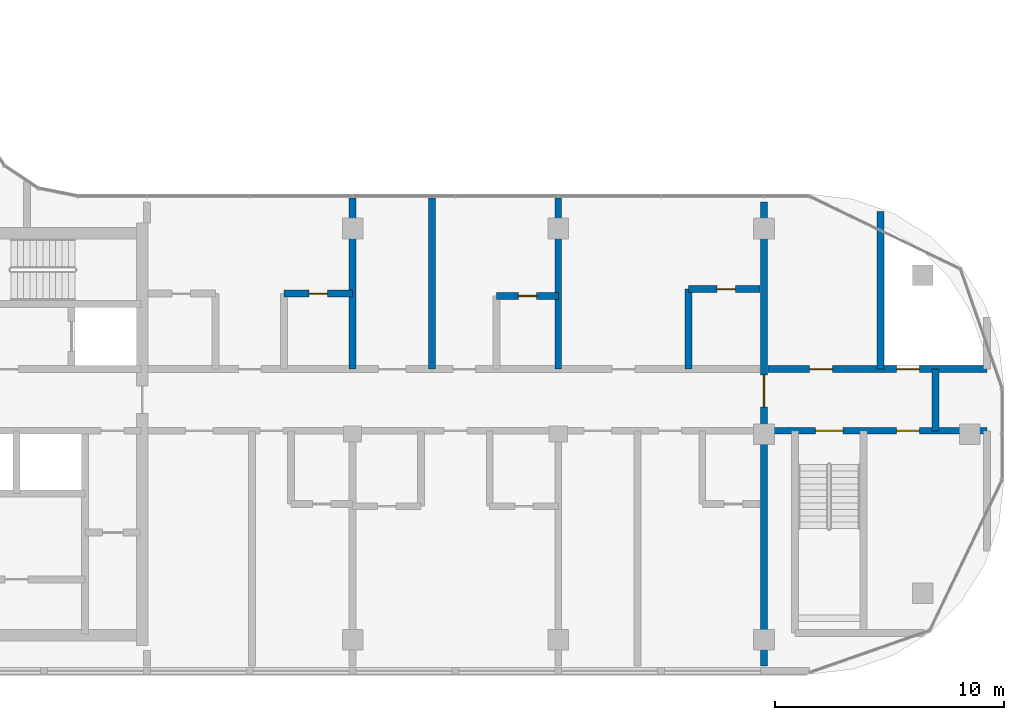
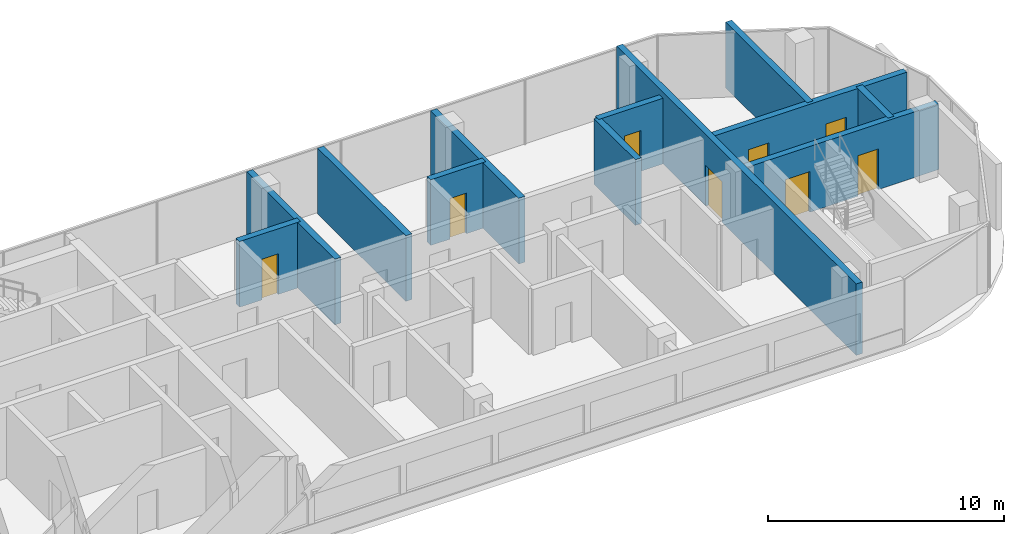
# One storey, part 12 of 19: 12 walls, 8 doors, 8 openings.
"""IFC4 building model written with IfcOpenShell, lengths in metres."""

from ifc_helpers import new_model, si_unit, direction, frame, frame_2d, origin, place, context, subcontext, project, spatial, rectangle, extrude, material, layer, layer_set, type_object, element, fill, save


model = new_model("IFC4")

# Units and contexts
model_context = context("Model", 3, precision=1e-05, world=origin(), true_north=direction((0.0, 1.0)))
body_context = subcontext(model_context, "Body", "Model", "MODEL_VIEW")
ifc_project = project(units=[si_unit("LENGTHUNIT", "METRE"), si_unit("AREAUNIT", "SQUARE_METRE"), si_unit("VOLUMEUNIT", "CUBIC_METRE"), si_unit("PLANEANGLEUNIT", "RADIAN"), si_unit("MASSUNIT", "GRAM", prefix="KILO")], contexts=[model_context])

# Site, building, storey
site_placement = place(None, origin())
site = spatial("IfcSite", under=ifc_project, at=site_placement, CompositionType="ELEMENT")
building_placement = place(site_placement, origin())
building = spatial("IfcBuilding", under=site, at=building_placement, Name="Ogive Portal Towers", CompositionType="ELEMENT")
storey_placement = place(building_placement, frame((0.0, 0.0, 229.10009765625)))
storey = spatial("IfcBuildingStorey", under=building, at=storey_placement, Name="L57", CompositionType="ELEMENT", Elevation=229.10009765625)

# Wall, opening, door
ifc_material_1 = material(Name="Concrete C60/75", Category="concrete")
ifc_layer_1 = layer(ifc_material_1, 0.300048828125)
ifc_layer_set_1 = layer_set([ifc_layer_1], Name="REVEAL WALL 300 C60")
wall_type_1 = type_object("IfcWallType", Name="REVEAL WALL 300 C60", PredefinedType="SHEAR", material=ifc_layer_set_1)
wall_1_placement = place(storey_placement, frame((85.5, 20.35009765625, 0.0), z_axis=(0.0, 0.0, 1.0), x_axis=(0.0, 1.0, 0.0)))
wall_1 = element("IfcWall", 1, at=wall_1_placement, inside=storey, type_object=wall_type_1, Name="Portal reveal wall L57", PredefinedType="SHEAR", context=body_context, shape_type="SweptSolid", body=[
    extrude(rectangle(XDim=20.2998046875, YDim=0.300048828125, at=frame_2d((10.14990234375, 0.0))), origin(), (0.0, 0.0, 1.0), 3.699951171875),
])
opening_1_placement = place(wall_1_placement, frame((11.35009765625, 0.0, 0.0)))
opening_1 = element("IfcOpeningElement", 2, at=opening_1_placement, cuts=wall_1, Name="Opening D25-059", PredefinedType="OPENING", context=body_context, shape_type="SweptSolid", body=[
    extrude(rectangle(XDim=1.39990234375, YDim=2.10009765625, at=frame_2d((0.699951171875, 1.050048828125))), frame((0.0, 0.16015625, 0.0), z_axis=(0.0, -1.0, 0.0), x_axis=(1.0, 0.0, 0.0)), (0.0, 0.0, 1.0), 0.320068359375),
])
ifc_material_2 = material(Name="Steel fire door", Category="steel")
door_type_1 = type_object("IfcDoorType", Name="DT-STAIR-1400x2100-FD90S", OperationType="SINGLE_SWING_LEFT", PredefinedType="DOOR", material=ifc_material_2)
door_1_placement = place(opening_1_placement, origin())
door_1 = element("IfcDoor", 3, at=door_1_placement, inside=storey, type_object=door_type_1, Name="Door D25-059", OperationType="SINGLE_SWING_RIGHT", OverallHeight=2.10009765625, OverallWidth=1.39990234375, PredefinedType="DOOR", context=body_context, shape_type="SweptSolid", body=[
    extrude(rectangle(XDim=1.39990234375, YDim=2.10009765625, at=frame_2d((0.699951171875, 1.050048828125))), frame((0.0, 0.02490234375, 0.0), z_axis=(0.0, -1.0, 0.0), x_axis=(1.0, 0.0, 0.0)), (0.0, 0.0, 1.0), 0.050048828125),
])
fill(opening_1, door_1)

# Wall, openings, doors
ifc_material_3 = material(Name="Concrete C50/60", Category="concrete")
ifc_layer_2 = layer(ifc_material_3, 0.300048828125)
ifc_layer_set_2 = layer_set([ifc_layer_2], Name="STAIR WALL 300 C50")
wall_type_2 = type_object("IfcWallType", Name="STAIR WALL 300 C50", PredefinedType="SHEAR", material=ifc_layer_set_2)
wall_2_placement = place(storey_placement, frame((85.669921875, 30.64990234375, 0.0), z_axis=(0.0, 0.0, 1.0), x_axis=(1.0, 0.0, 0.0)))
wall_2 = element("IfcWall", 4, at=wall_2_placement, inside=storey, type_object=wall_type_2, Name="Stair wall ST-A4 L57", PredefinedType="SHEAR", context=body_context, shape_type="SweptSolid", body=[
    extrude(rectangle(XDim=9.580078125, YDim=0.300048828125, at=frame_2d((4.7900390625, 0.0))), origin(), (0.0, 0.0, 1.0), 3.39990234375),
])
opening_2_placement = place(wall_2_placement, frame((2.080078125, 0.0, 0.0)))
opening_2 = element("IfcOpeningElement", 5, at=opening_2_placement, cuts=wall_2, Name="Opening D25-055", PredefinedType="OPENING", context=body_context, shape_type="SweptSolid", body=[
    extrude(rectangle(XDim=1.199951171875, YDim=2.10009765625, at=frame_2d((0.60009765625, 1.050048828125))), frame((0.0, 0.16015625, 0.0), z_axis=(0.0, -1.0, 0.0), x_axis=(1.0, 0.0, 0.0)), (0.0, 0.0, 1.0), 0.320068359375),
])
opening_3_placement = place(wall_2_placement, frame((5.6298828125, 0.0, 0.0)))
opening_3 = element("IfcOpeningElement", 6, at=opening_3_placement, cuts=wall_2, Name="Opening D25-058", PredefinedType="OPENING", context=body_context, shape_type="SweptSolid", body=[
    extrude(rectangle(XDim=1.0, YDim=2.10009765625, at=frame_2d((0.5, 1.050048828125))), frame((0.0, 0.16015625, 0.0), z_axis=(0.0, -1.0, 0.0), x_axis=(1.0, 0.0, 0.0)), (0.0, 0.0, 1.0), 0.320068359375),
])
door_type_2 = type_object("IfcDoorType", Name="DT-SERVICE-1000x2100-FD90S", OperationType="SINGLE_SWING_LEFT", PredefinedType="DOOR", material=ifc_material_2)
door_2_placement = place(opening_3_placement, origin())
door_2 = element("IfcDoor", 7, at=door_2_placement, inside=storey, type_object=door_type_2, Name="Door D25-058", OperationType="SINGLE_SWING_LEFT", OverallHeight=2.10009765625, OverallWidth=1.0, PredefinedType="DOOR", context=body_context, shape_type="SweptSolid", body=[
    extrude(rectangle(XDim=1.0, YDim=2.10009765625, at=frame_2d((0.5, 1.050048828125))), frame((0.0, 0.02490234375, 0.0), z_axis=(0.0, -1.0, 0.0), x_axis=(1.0, 0.0, 0.0)), (0.0, 0.0, 1.0), 0.050048828125),
])
fill(opening_3, door_2)
door_type_3 = type_object("IfcDoorType", Name="DT-STAIR-1200x2100-FD90S", OperationType="SINGLE_SWING_LEFT", PredefinedType="DOOR", material=ifc_material_2)
door_3_placement = place(opening_2_placement, origin())
door_3 = element("IfcDoor", 8, at=door_3_placement, inside=storey, type_object=door_type_3, Name="Door D25-055", OperationType="SINGLE_SWING_LEFT", OverallHeight=2.10009765625, OverallWidth=1.199951171875, PredefinedType="DOOR", context=body_context, shape_type="SweptSolid", body=[
    extrude(rectangle(XDim=1.199951171875, YDim=2.10009765625, at=frame_2d((0.60009765625, 1.050048828125))), frame((0.0, 0.02490234375, 0.0), z_axis=(0.0, -1.0, 0.0), x_axis=(1.0, 0.0, 0.0)), (0.0, 0.0, 1.0), 0.050048828125),
])
fill(opening_2, door_3)

ifc_material_4 = material(Name="Gypsum board partition on steel studs", Category="steel")
ifc_layer_3 = layer(ifc_material_4, 0.300048828125)
ifc_layer_set_3 = layer_set([ifc_layer_3], Name="WT-PART-300-EI 120")
wall_type_3 = type_object("IfcWallType", Name="WT-PART-300-EI 120", PredefinedType="PARTITIONING", material=ifc_layer_set_3)
wall_3_placement = place(storey_placement, frame((85.669921875, 33.35009765625, 0.0), z_axis=(0.0, 0.0, 1.0), x_axis=(1.0, 0.0, 0.0)))
wall_3 = element("IfcWall", 9, at=wall_3_placement, inside=storey, type_object=wall_type_3, Name="Wall L57:w009", PredefinedType="PARTITIONING", context=body_context, shape_type="SweptSolid", body=[
    extrude(rectangle(XDim=9.580078125, YDim=0.300048828125, at=frame_2d((4.7900390625, 0.0))), origin(), (0.0, 0.0, 1.0), 3.39990234375),
])
opening_4_placement = place(wall_3_placement, frame((1.830078125, 0.0, 0.0)))
opening_4 = element("IfcOpeningElement", 10, at=opening_4_placement, cuts=wall_3, Name="Opening D25-056", PredefinedType="OPENING", context=body_context, shape_type="SweptSolid", body=[
    extrude(rectangle(XDim=1.0, YDim=2.10009765625, at=frame_2d((0.5, 1.050048828125))), frame((0.0, 0.16015625, 0.0), z_axis=(0.0, -1.0, 0.0), x_axis=(1.0, 0.0, 0.0)), (0.0, 0.0, 1.0), 0.320068359375),
])
opening_5_placement = place(wall_3_placement, frame((5.6298828125, 0.0, 0.0)))
opening_5 = element("IfcOpeningElement", 11, at=opening_5_placement, cuts=wall_3, Name="Opening D25-057", PredefinedType="OPENING", context=body_context, shape_type="SweptSolid", body=[
    extrude(rectangle(XDim=1.0, YDim=2.10009765625, at=frame_2d((0.5, 1.050048828125))), frame((0.0, 0.16015625, 0.0), z_axis=(0.0, -1.0, 0.0), x_axis=(1.0, 0.0, 0.0)), (0.0, 0.0, 1.0), 0.320068359375),
])
door_4_placement = place(opening_4_placement, origin())
door_4 = element("IfcDoor", 12, at=door_4_placement, inside=storey, type_object=door_type_2, Name="Door D25-056", OperationType="SINGLE_SWING_LEFT", OverallHeight=2.10009765625, OverallWidth=1.0, PredefinedType="DOOR", context=body_context, shape_type="SweptSolid", body=[
    extrude(rectangle(XDim=1.0, YDim=2.10009765625, at=frame_2d((0.5, 1.050048828125))), frame((0.0, 0.02490234375, 0.0), z_axis=(0.0, -1.0, 0.0), x_axis=(1.0, 0.0, 0.0)), (0.0, 0.0, 1.0), 0.050048828125),
])
fill(opening_4, door_4)
door_5_placement = place(opening_5_placement, origin())
door_5 = element("IfcDoor", 13, at=door_5_placement, inside=storey, type_object=door_type_2, Name="Riser access door D25-057", OperationType="SINGLE_SWING_RIGHT", OverallHeight=2.10009765625, OverallWidth=1.0, PredefinedType="DOOR", context=body_context, shape_type="SweptSolid", body=[
    extrude(rectangle(XDim=1.0, YDim=2.10009765625, at=frame_2d((0.5, 1.050048828125))), frame((0.0, 0.02490234375, 0.0), z_axis=(0.0, -1.0, 0.0), x_axis=(1.0, 0.0, 0.0)), (0.0, 0.0, 1.0), 0.050048828125),
])
fill(opening_5, door_5)

# Wall
wall_4_placement = place(storey_placement, frame((93.0, 30.64990234375, 0.0), z_axis=(0.0, 0.0, 1.0), x_axis=(0.0, 1.0, 0.0)))
element("IfcWall", 14, at=wall_4_placement, inside=storey, type_object=wall_type_3, Name="Wall L57:w055", PredefinedType="PARTITIONING", context=body_context, shape_type="SweptSolid", body=[
    extrude(rectangle(XDim=2.7001953125, YDim=0.300048828125, at=frame_2d((1.35009765625, 0.0))), origin(), (0.0, 0.0, 1.0), 3.39990234375),
])

# Wall, opening, door
ifc_layer_4 = layer(ifc_material_4, 0.300048828125)
ifc_layer_set_4 = layer_set([ifc_layer_4], Name="WT-PART-300-EI 60")
wall_type_4 = type_object("IfcWallType", Name="WT-PART-300-EI 60", PredefinedType="PARTITIONING", material=ifc_layer_set_4)
wall_5_placement = place(storey_placement, frame((73.800048828125, 36.550048828125, 0.0), z_axis=(0.0, 0.0, 1.0), x_axis=(1.0, 0.0, 0.0)))
wall_5 = element("IfcWall", 15, at=wall_5_placement, inside=storey, type_object=wall_type_4, Name="Wall L57:w010", PredefinedType="PARTITIONING", context=body_context, shape_type="SweptSolid", body=[
    extrude(rectangle(XDim=2.699951171875, YDim=0.300048828125, at=frame_2d((1.35009765625, 0.0))), origin(), (0.0, 0.0, 1.0), 3.39990234375),
])
opening_6_placement = place(wall_5_placement, frame((0.949951171875, 0.0, 0.0)))
opening_6 = element("IfcOpeningElement", 16, at=opening_6_placement, cuts=wall_5, Name="Opening D25-033", PredefinedType="OPENING", context=body_context, shape_type="SweptSolid", body=[
    extrude(rectangle(XDim=0.800048828125, YDim=2.10009765625, at=frame_2d((0.39990234375, 1.050048828125))), frame((0.0, 0.16015625, 0.0), z_axis=(0.0, -1.0, 0.0), x_axis=(1.0, 0.0, 0.0)), (0.0, 0.0, 1.0), 0.320068359375),
])
door_type_4 = type_object("IfcDoorType", Name="DT-BATH-800x2100-FD60S", OperationType="SINGLE_SWING_LEFT", PredefinedType="DOOR", material=ifc_material_2)
door_6_placement = place(opening_6_placement, origin())
door_6 = element("IfcDoor", 17, at=door_6_placement, inside=storey, type_object=door_type_4, Name="Door D25-033", OperationType="SINGLE_SWING_RIGHT", OverallHeight=2.10009765625, OverallWidth=0.800048828125, PredefinedType="DOOR", context=body_context, shape_type="SweptSolid", body=[
    extrude(rectangle(XDim=0.800048828125, YDim=2.10009765625, at=frame_2d((0.39990234375, 1.050048828125))), frame((0.0, 0.02490234375, 0.0), z_axis=(0.0, -1.0, 0.0), x_axis=(1.0, 0.0, 0.0)), (0.0, 0.0, 1.0), 0.050048828125),
])
fill(opening_6, door_6)

wall_6_placement = place(storey_placement, frame((64.5, 36.64990234375, 0.0), z_axis=(0.0, 0.0, 1.0), x_axis=(1.0, 0.0, 0.0)))
wall_6 = element("IfcWall", 18, at=wall_6_placement, inside=storey, type_object=wall_type_4, Name="Wall L57:w012", PredefinedType="PARTITIONING", context=body_context, shape_type="SweptSolid", body=[
    extrude(rectangle(XDim=3.0, YDim=0.300048828125, at=frame_2d((1.5, 0.0))), origin(), (0.0, 0.0, 1.0), 3.39990234375),
])
opening_7_placement = place(wall_6_placement, frame((1.10009765625, 0.0, 0.0)))
opening_7 = element("IfcOpeningElement", 19, at=opening_7_placement, cuts=wall_6, Name="Opening D25-027", PredefinedType="OPENING", context=body_context, shape_type="SweptSolid", body=[
    extrude(rectangle(XDim=0.800048828125, YDim=2.10009765625, at=frame_2d((0.39990234375, 1.050048828125))), frame((0.0, 0.16015625, 0.0), z_axis=(0.0, -1.0, 0.0), x_axis=(1.0, 0.0, 0.0)), (0.0, 0.0, 1.0), 0.320068359375),
])
door_7_placement = place(opening_7_placement, origin())
door_7 = element("IfcDoor", 20, at=door_7_placement, inside=storey, type_object=door_type_4, Name="Door D25-027", OperationType="SINGLE_SWING_RIGHT", OverallHeight=2.10009765625, OverallWidth=0.800048828125, PredefinedType="DOOR", context=body_context, shape_type="SweptSolid", body=[
    extrude(rectangle(XDim=0.800048828125, YDim=2.10009765625, at=frame_2d((0.39990234375, 1.050048828125))), frame((0.0, 0.02490234375, 0.0), z_axis=(0.0, -1.0, 0.0), x_axis=(1.0, 0.0, 0.0)), (0.0, 0.0, 1.0), 0.050048828125),
])
fill(opening_7, door_7)

wall_7_placement = place(storey_placement, frame((82.199951171875, 36.85009765625, 0.0), z_axis=(0.0, 0.0, 1.0), x_axis=(1.0, 0.0, 0.0)))
wall_7 = element("IfcWall", 21, at=wall_7_placement, inside=storey, type_object=wall_type_4, Name="Wall L57:w013", PredefinedType="PARTITIONING", context=body_context, shape_type="SweptSolid", body=[
    extrude(rectangle(XDim=3.130126953125, YDim=0.300048828125, at=frame_2d((1.56494140625, 0.0))), origin(), (0.0, 0.0, 1.0), 3.39990234375),
])
opening_8_placement = place(wall_7_placement, frame((1.25, 0.0, 0.0)))
opening_8 = element("IfcOpeningElement", 22, at=opening_8_placement, cuts=wall_7, Name="Opening D25-038", PredefinedType="OPENING", context=body_context, shape_type="SweptSolid", body=[
    extrude(rectangle(XDim=0.800048828125, YDim=2.10009765625, at=frame_2d((0.39990234375, 1.050048828125))), frame((0.0, 0.16015625, 0.0), z_axis=(0.0, -1.0, 0.0), x_axis=(1.0, 0.0, 0.0)), (0.0, 0.0, 1.0), 0.320068359375),
])
door_8_placement = place(opening_8_placement, origin())
door_8 = element("IfcDoor", 23, at=door_8_placement, inside=storey, type_object=door_type_4, Name="Door D25-038", OperationType="SINGLE_SWING_LEFT", OverallHeight=2.10009765625, OverallWidth=0.800048828125, PredefinedType="DOOR", context=body_context, shape_type="SweptSolid", body=[
    extrude(rectangle(XDim=0.800048828125, YDim=2.10009765625, at=frame_2d((0.39990234375, 1.050048828125))), frame((0.0, 0.02490234375, 0.0), z_axis=(0.0, -1.0, 0.0), x_axis=(1.0, 0.0, 0.0)), (0.0, 0.0, 1.0), 0.050048828125),
])
fill(opening_8, door_8)

# Walls
for number, where, z_axis, x_axis, name in (
    (24, (67.5, 33.35009765625, 0.0), (0.0, 0.0, 1.0), (0.0, 1.0, 0.0), "Wall L57:w042"),
    (25, (70.969970703125, 33.35009765625, 0.0), (0.0, 0.0, 1.0), (0.0, 1.0, 0.0), "Wall L57:w044"),
    (26, (76.5, 33.35009765625, 0.0), (0.0, 0.0, 1.0), (0.0, 1.0, 0.0), "Wall L57:w048"),
):
    element("IfcWall", number, at=place(storey_placement, frame(where, z_axis=z_axis, x_axis=x_axis)), inside=storey, type_object=wall_type_4, Name=name, PredefinedType="PARTITIONING", context=body_context, shape_type="SweptSolid", body=[
        extrude(rectangle(XDim=7.47998046875, YDim=0.300048828125, at=frame_2d((3.739990234375, 0.0))), origin(), (0.0, 0.0, 1.0), 3.39990234375),
    ])
wall_8_placement = place(storey_placement, frame((82.199951171875, 33.35009765625, 0.0), z_axis=(0.0, 0.0, 1.0), x_axis=(0.0, 1.0, 0.0)))
element("IfcWall", 27, at=wall_8_placement, inside=storey, type_object=wall_type_4, Name="Wall L57:w050", PredefinedType="PARTITIONING", context=body_context, shape_type="SweptSolid", body=[
    extrude(rectangle(XDim=3.5, YDim=0.300048828125, at=frame_2d((1.75, 0.0))), origin(), (0.0, 0.0, 1.0), 3.39990234375),
])
wall_9_placement = place(storey_placement, frame((90.60009765625, 33.35009765625, 0.0), z_axis=(0.0, 0.0, 1.0), x_axis=(0.0, 1.0, 0.0)))
element("IfcWall", 28, at=wall_9_placement, inside=storey, type_object=wall_type_4, Name="Wall L57:w054", PredefinedType="PARTITIONING", context=body_context, shape_type="SweptSolid", body=[
    extrude(rectangle(XDim=6.89794921875, YDim=0.300048828125, at=frame_2d((3.448974609375, 0.0))), origin(), (0.0, 0.0, 1.0), 3.39990234375),
])

save(model, "model.ifc")
